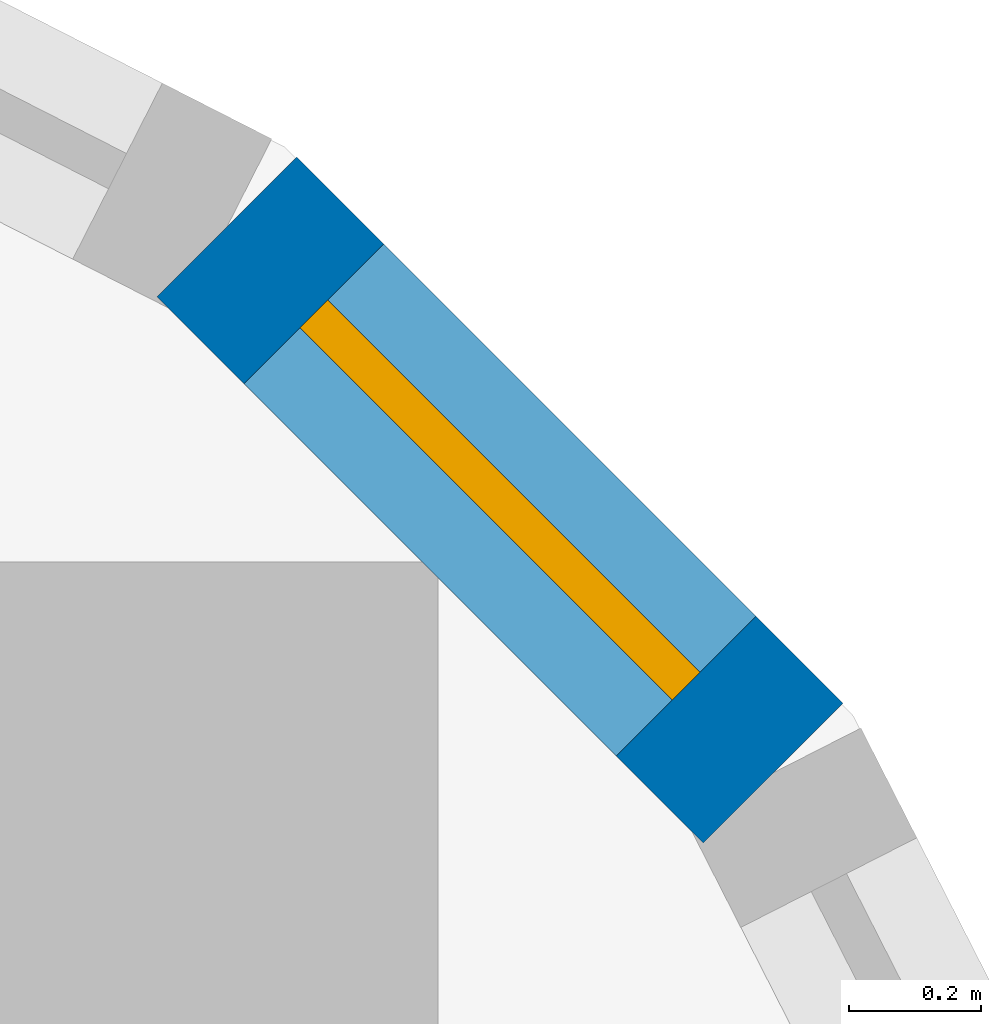
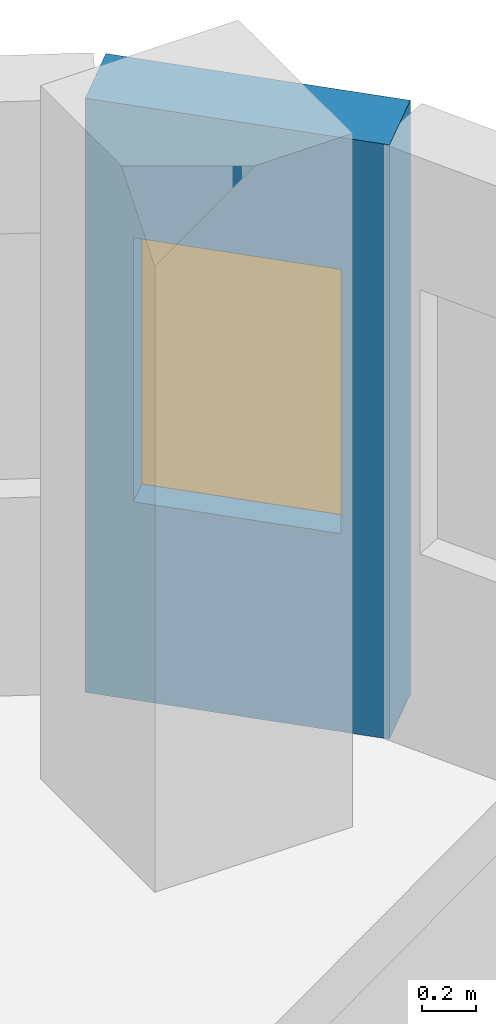
# One storey, part 10 of 14: 1 wall, 1 window, 1 opening.
"""IFC4 building model written with IfcOpenShell, lengths in metres."""

from ifc_helpers import new_model, si_unit, direction, frame, frame_2d, origin, place, context, subcontext, project, spatial, rectangle, extrude, material, layer, layer_set, type_object, element, fill, save


model = new_model("IFC4")

# Units and contexts
model_context = context("Model", 3, precision=1e-05, world=origin(), true_north=direction((0.0, 1.0)))
body_context = subcontext(model_context, "Body", "Model", "MODEL_VIEW")
ifc_project = project(units=[si_unit("LENGTHUNIT", "METRE"), si_unit("AREAUNIT", "SQUARE_METRE"), si_unit("VOLUMEUNIT", "CUBIC_METRE"), si_unit("PLANEANGLEUNIT", "RADIAN"), si_unit("MASSUNIT", "GRAM", prefix="KILO")], contexts=[model_context])

# Site, building, storey
site_placement = place(None, origin())
site = spatial("IfcSite", under=ifc_project, at=site_placement, CompositionType="ELEMENT")
building_placement = place(site_placement, origin())
building = spatial("IfcBuilding", under=site, at=building_placement, Name="Ludao Terraces", CompositionType="ELEMENT")
storey_placement = place(building_placement, frame((0.0, 0.0, 99.89990234375)))
storey = spatial("IfcBuildingStorey", under=building, at=storey_placement, Name="L27", CompositionType="ELEMENT", Elevation=99.89990234375)

# Wall, opening, window
ifc_material_1 = material(Name="Granite cladding", Category="masonry")
ifc_layer_1 = layer(ifc_material_1, 0.0400390625, Category="stone")
ifc_material_2 = material(Name="Mineral wool")
ifc_layer_2 = layer(ifc_material_2, 0.06005859375)
ifc_material_3 = material(Name="Concrete C40", Category="concrete")
ifc_layer_3 = layer(ifc_material_3, 0.199951171875, Category="concrete")
ifc_layer_set_1 = layer_set([ifc_layer_1, ifc_layer_2, ifc_layer_3], Name="ENV Stone-clad wall 300")
wall_type = type_object("IfcWallType", Name="ENV Stone-clad wall 300", PredefinedType="SOLIDWALL", material=ifc_layer_set_1)
wall_placement = place(storey_placement, frame((103.6337890625, 82.80419921875, 0.0), z_axis=(0.0, 0.0, 1.0), x_axis=(-0.707106781187, 0.707106781187, 0.0)))
wall = element("IfcWall", 1, at=wall_placement, inside=storey, type_object=wall_type, Name="EW-L27-NE3", PredefinedType="SOLIDWALL", context=body_context, shape_type="SweptSolid", body=[
    extrude(rectangle(XDim=1.173095703125, YDim=0.300048828125, at=frame_2d((0.58642578125, 0.0))), origin(), (0.0, 0.0, 1.0), 2.7001953125),
])
opening_placement = place(wall_placement, frame((0.1865234375, 0.0, 0.89990234375)))
opening = element("IfcOpeningElement", 2, at=opening_placement, cuts=wall, Name="Opening W3", PredefinedType="OPENING", context=body_context, shape_type="SweptSolid", body=[
    extrude(rectangle(XDim=0.800048828125, YDim=1.199951171875, at=frame_2d((0.39990234375, 0.60009765625))), frame((0.0, 0.16015625, 0.0), z_axis=(0.0, -1.0, 0.0), x_axis=(1.0, 0.0, 0.0)), (0.0, 0.0, 1.0), 0.320068359375),
])
ifc_material_4 = material(Name="Clear glass in aluminium frame", Category="aluminium")
ifc_layer_4 = layer(ifc_material_4, 0.06005859375)
ifc_layer_set_2 = layer_set([ifc_layer_4], Name="ENV Window W3 800x1200")
window_type = type_object("IfcWindowType", Name="ENV Window W3 800x1200", PartitioningType="SINGLE_PANEL", PredefinedType="WINDOW", material=ifc_layer_set_2)
window_placement = place(opening_placement, origin())
window = element("IfcWindow", 3, at=window_placement, inside=storey, type_object=window_type, Name="W-L27-NE3", OverallHeight=1.199951171875, OverallWidth=0.800048828125, PartitioningType="SINGLE_PANEL", PredefinedType="WINDOW", context=body_context, shape_type="SweptSolid", body=[
    extrude(rectangle(XDim=0.800048828125, YDim=1.199951171875, at=frame_2d((0.39990234375, 0.60009765625))), frame((0.0, 0.030029296875, 0.0), z_axis=(0.0, -1.0, 0.0), x_axis=(1.0, 0.0, 0.0)), (0.0, 0.0, 1.0), 0.06005859375),
])
fill(opening, window)

save(model, "model.ifc")
